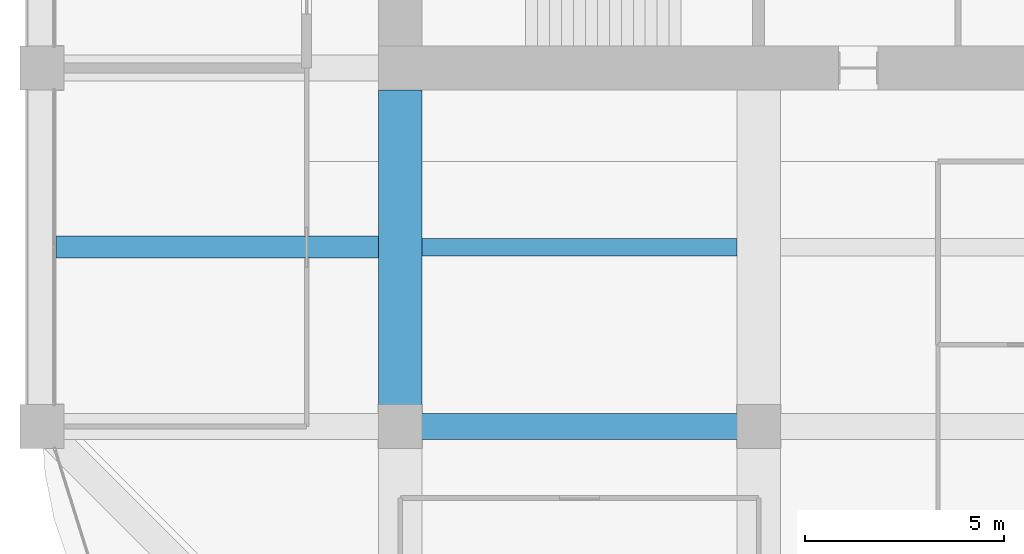
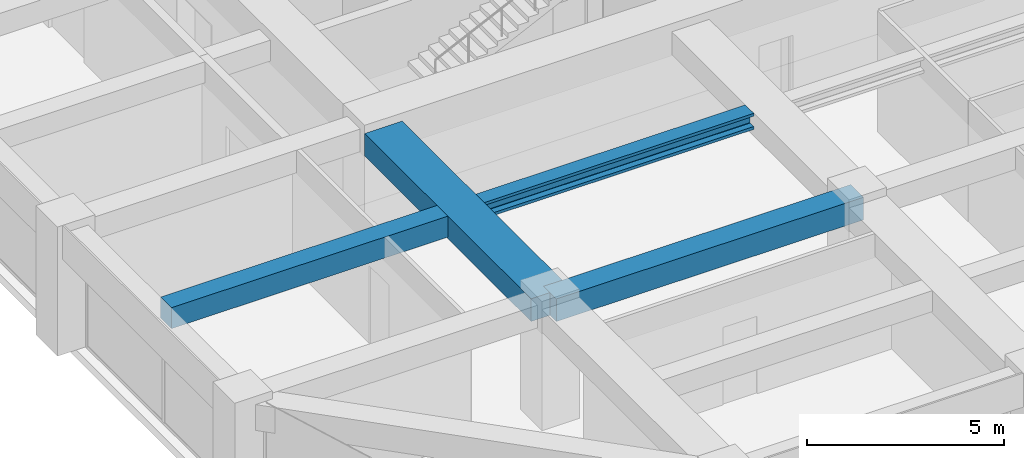
# One storey, part 8 of 44: 4 beams.
"""IFC4 building model written with IfcOpenShell, lengths in metres."""

from ifc_helpers import new_model, si_unit, direction, frame, origin, origin_2d, place, context, subcontext, project, spatial, rectangle, i_section, extrude, material, material_profile, profile_set, type_object, element, save


model = new_model("IFC4")

# Units and contexts
model_context = context("Model", 3, precision=1e-05, world=origin(), true_north=direction((0.0, 1.0)))
body_context = subcontext(model_context, "Body", "Model", "MODEL_VIEW")
ifc_project = project(units=[si_unit("LENGTHUNIT", "METRE"), si_unit("AREAUNIT", "SQUARE_METRE"), si_unit("VOLUMEUNIT", "CUBIC_METRE"), si_unit("PLANEANGLEUNIT", "RADIAN"), si_unit("MASSUNIT", "GRAM", prefix="KILO")], contexts=[model_context])

# Site, building, storey
site_placement = place(None, origin())
site = spatial("IfcSite", under=ifc_project, at=site_placement, CompositionType="ELEMENT")
building_placement = place(site_placement, origin())
building = spatial("IfcBuilding", under=site, at=building_placement, Name="Zorevar Civic Tower", CompositionType="ELEMENT")
storey_placement = place(building_placement, frame((0.0, 0.0, 271.39990234375)))
storey = spatial("IfcBuildingStorey", under=building, at=storey_placement, Name="L66", CompositionType="ELEMENT", Elevation=271.39990234375)

# Beams
ifc_material_1 = material(Name="Concrete C50/60", Category="concrete")
ifc_material_profile_1 = material_profile(ifc_material_1, rectangle(XDim=1.10009765625, YDim=0.699951171875, at=origin_2d()), Name="RC 1100x700")
ifc_profile_set_1 = profile_set([ifc_material_profile_1], Name="Concrete C50/60")
beam_type_1 = type_object("IfcBeamType", Name="Beam RC 1100x700", PredefinedType="BEAM", material=ifc_profile_set_1)
beam_1_placement = place(storey_placement, frame((18.0, 9.0, 3.400146484375), z_axis=(0.0, 1.0, 0.0), x_axis=(-1.0, 0.0, 0.0)))
element("IfcBeam", 1, at=beam_1_placement, inside=storey, type_object=beam_type_1, Name="Girder L67", PredefinedType="BEAM", context=body_context, shape_type="SweptSolid", body=[
    extrude(rectangle(XDim=1.10009765625, YDim=0.699951171875, at=origin_2d()), origin(), (0.0, 0.0, 1.0), 8.449951171875),
])
ifc_material_2 = material(Name="Concrete C50/60", Category="concrete")
ifc_material_profile_2 = material_profile(ifc_material_2, rectangle(XDim=0.550048828125, YDim=0.64990234375, at=origin_2d()), Name="RC 550x650")
ifc_profile_set_2 = profile_set([ifc_material_profile_2], Name="Concrete C50/60")
beam_type_2 = type_object("IfcBeamType", Name="Beam RC 550x650", PredefinedType="BEAM", material=ifc_profile_set_2)
beam_2_placement = place(storey_placement, frame((9.35009765625, 13.5, 3.425048828125), z_axis=(1.0, 0.0, 0.0), x_axis=(0.0, 1.0, 0.0)))
element("IfcBeam", 2, at=beam_2_placement, inside=storey, type_object=beam_type_2, Name="Secondary beam L67", PredefinedType="BEAM", context=body_context, shape_type="SweptSolid", body=[
    extrude(rectangle(XDim=0.550048828125, YDim=0.64990234375, at=origin_2d()), origin(), (0.0, 0.0, 1.0), 8.099853515625),
])
ifc_material_3 = material(Name="Concrete C50/60", Category="concrete")
ifc_material_profile_3 = material_profile(ifc_material_3, rectangle(XDim=0.64990234375, YDim=0.699951171875, at=origin_2d()), Name="RC 650x700")
ifc_profile_set_3 = profile_set([ifc_material_profile_3], Name="Concrete C50/60")
beam_type_3 = type_object("IfcBeamType", Name="Beam RC 650x700", PredefinedType="BEAM", material=ifc_profile_set_3)
beam_3_placement = place(storey_placement, frame((18.0, 9.0, 3.400146484375), z_axis=(1.0, 0.0, 0.0), x_axis=(0.0, 1.0, 0.0)))
element("IfcBeam", 3, at=beam_3_placement, inside=storey, type_object=beam_type_3, Name="Girder L67", PredefinedType="BEAM", context=body_context, shape_type="SweptSolid", body=[
    extrude(rectangle(XDim=0.64990234375, YDim=0.699951171875, at=origin_2d()), origin(), (0.0, 0.0, 1.0), 9.0),
])
ifc_material_4 = material(Name="Steel S460M (HISTAR 460)", Category="steel")
ifc_material_profile_4 = material_profile(ifc_material_4, i_section(OverallWidth=0.431884765625, OverallDepth=0.498046875, WebThickness=0.0556640625, FlangeThickness=0.0888671875, FilletRadius=0.014892578125, at=origin_2d()), Name="HD 400x744")
ifc_profile_set_4 = profile_set([ifc_material_profile_4], Name="Steel S460M (HISTAR 460)")
beam_type_4 = type_object("IfcBeamType", Name="Core bay beam HD 400x744", PredefinedType="BEAM", material=ifc_profile_set_4)
beam_4_placement = place(storey_placement, frame((18.550048828125, 13.5, 3.5009765625), z_axis=(1.0, 0.0, 0.0), x_axis=(0.0, 1.0, 0.0)))
element("IfcBeam", 4, at=beam_4_placement, inside=storey, type_object=beam_type_4, Name="Secondary beam L67", PredefinedType="BEAM", context=body_context, shape_type="SweptSolid", body=[
    extrude(i_section(OverallWidth=0.431884765625, OverallDepth=0.498046875, WebThickness=0.0556640625, FlangeThickness=0.0888671875, FilletRadius=0.014892578125, at=origin_2d()), origin(), (0.0, 0.0, 1.0), 7.89990234375),
])

save(model, "model.ifc")
